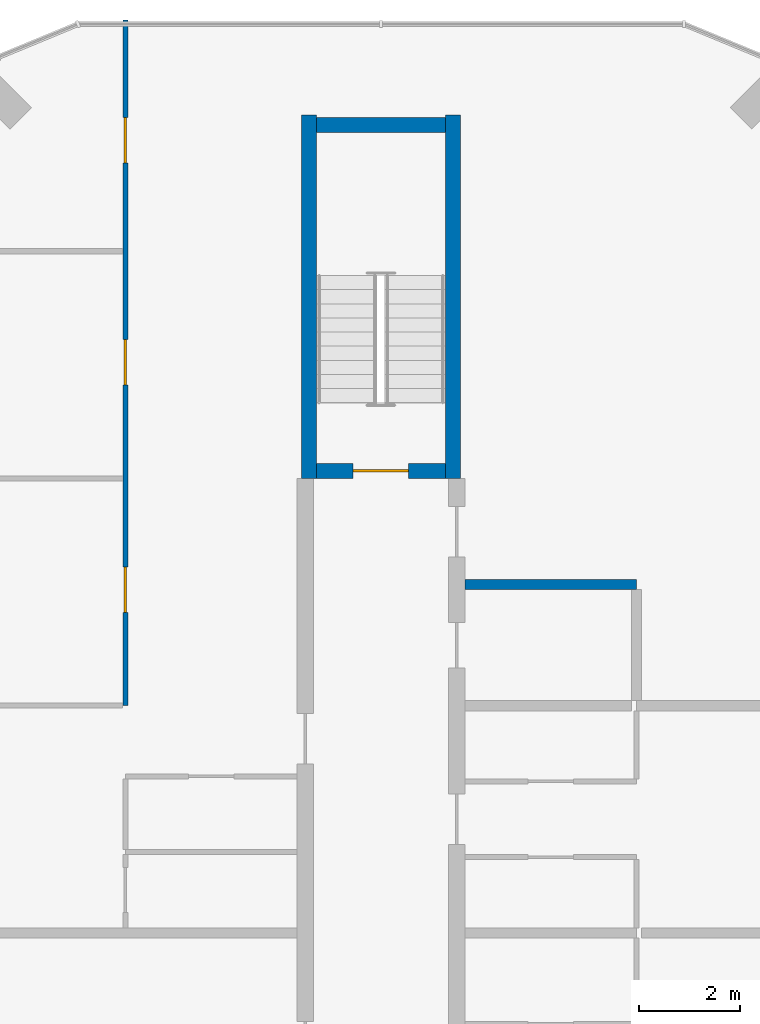
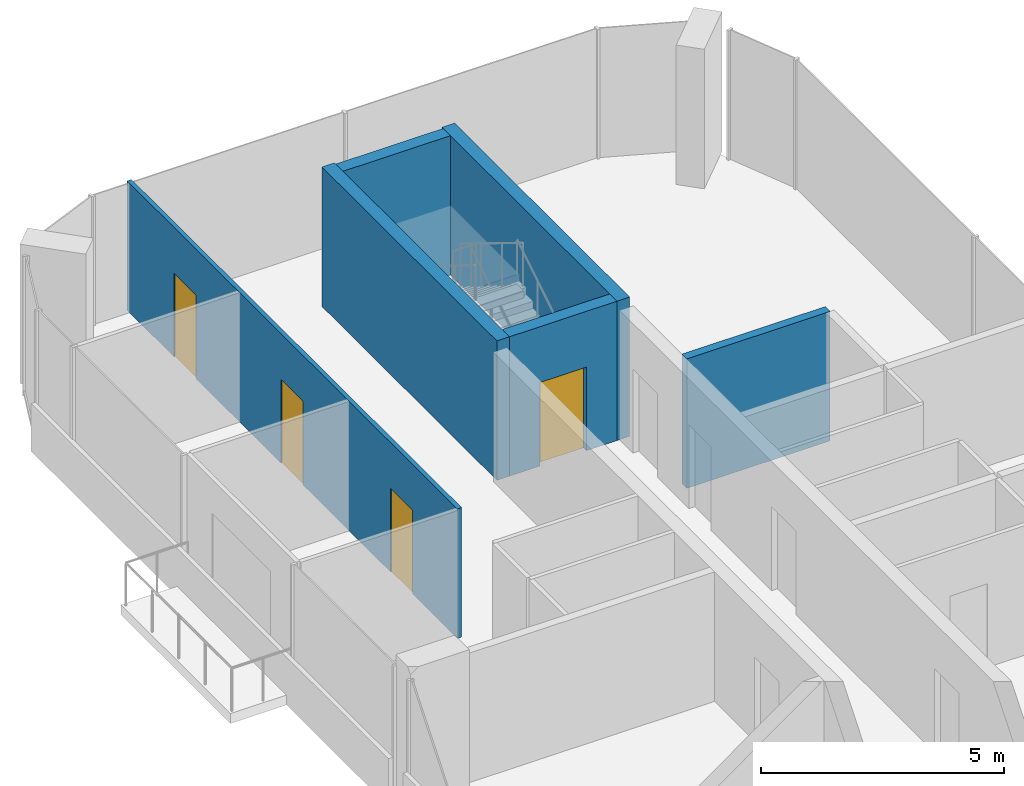
# One storey, part 17 of 23: 6 walls, 4 doors, 4 openings.
"""IFC4 building model written with IfcOpenShell, lengths in metres."""

from ifc_helpers import new_model, si_unit, direction, frame, frame_2d, origin, place, context, subcontext, project, spatial, rectangle, extrude, material, layer, layer_set, type_object, element, fill, save


model = new_model("IFC4")

# Units and contexts
model_context = context("Model", 3, precision=1e-05, world=origin(), true_north=direction((0.0, 1.0)))
body_context = subcontext(model_context, "Body", "Model", "MODEL_VIEW")
ifc_project = project(units=[si_unit("LENGTHUNIT", "METRE"), si_unit("AREAUNIT", "SQUARE_METRE"), si_unit("VOLUMEUNIT", "CUBIC_METRE"), si_unit("PLANEANGLEUNIT", "RADIAN"), si_unit("MASSUNIT", "GRAM", prefix="KILO")], contexts=[model_context])

# Site, building, storey
site_placement = place(None, origin())
site = spatial("IfcSite", under=ifc_project, at=site_placement, CompositionType="ELEMENT")
building_placement = place(site_placement, origin())
building = spatial("IfcBuilding", under=site, at=building_placement, Name="Plateau Cross Towers", CompositionType="ELEMENT")
storey_placement = place(building_placement, frame((0.0, 0.0, 85.300048828125)))
storey = spatial("IfcBuildingStorey", under=building, at=storey_placement, Name="L21", CompositionType="ELEMENT", Elevation=85.300048828125)

# Wall, openings, doors
ifc_material_1 = material(Name="Gypsum board on steel studs", Category="steel")
ifc_layer_1 = layer(ifc_material_1, 0.10009765625)
ifc_layer_set_1 = layer_set([ifc_layer_1], Name="Gypsum board on steel studs")
wall_type_1 = type_object("IfcWallType", Name="Flat partition 100", PredefinedType="PARTITIONING", material=ifc_layer_set_1)
wall_1_placement = place(storey_placement, frame((3.9375, 40.5, 0.0), z_axis=(0.0, 0.0, 1.0), x_axis=(0.0, 1.0, 0.0)))
wall_1 = element("IfcWall", 1, at=wall_1_placement, inside=storey, type_object=wall_type_1, Name="Partition wall", PredefinedType="PARTITIONING", context=body_context, shape_type="SweptSolid", body=[
    extrude(rectangle(XDim=13.580078125, YDim=0.10009765625, at=frame_2d((6.7900390625, 0.0))), origin(), (0.0, 0.0, 1.0), 3.25),
])
opening_1_placement = place(wall_1_placement, frame((1.85009765625, 0.0, 0.0)))
opening_1 = element("IfcOpeningElement", 2, at=opening_1_placement, cuts=wall_1, Name="Opening 21-40", PredefinedType="OPENING", context=body_context, shape_type="SweptSolid", body=[
    extrude(rectangle(XDim=0.89990234375, YDim=2.10009765625, at=frame_2d((0.449951171875, 1.050048828125))), frame((0.0, 0.06005859375, 0.0), z_axis=(0.0, -1.0, 0.0), x_axis=(1.0, 0.0, 0.0)), (0.0, 0.0, 1.0), 0.1201171875),
])
opening_2_placement = place(wall_1_placement, frame((6.35009765625, 0.0, 0.0)))
opening_2 = element("IfcOpeningElement", 3, at=opening_2_placement, cuts=wall_1, Name="Opening 21-41", PredefinedType="OPENING", context=body_context, shape_type="SweptSolid", body=[
    extrude(rectangle(XDim=0.89990234375, YDim=2.10009765625, at=frame_2d((0.449951171875, 1.050048828125))), frame((0.0, 0.06005859375, 0.0), z_axis=(0.0, -1.0, 0.0), x_axis=(1.0, 0.0, 0.0)), (0.0, 0.0, 1.0), 0.1201171875),
])
opening_3_placement = place(wall_1_placement, frame((10.75, 0.0, 0.0)))
opening_3 = element("IfcOpeningElement", 4, at=opening_3_placement, cuts=wall_1, Name="Opening 21-42", PredefinedType="OPENING", context=body_context, shape_type="SweptSolid", body=[
    extrude(rectangle(XDim=0.89990234375, YDim=2.10009765625, at=frame_2d((0.449951171875, 1.050048828125))), frame((0.0, 0.06005859375, 0.0), z_axis=(0.0, -1.0, 0.0), x_axis=(1.0, 0.0, 0.0)), (0.0, 0.0, 1.0), 0.1201171875),
])
ifc_material_2 = material(Name="Timber leaf", Category="wood")
door_type_1 = type_object("IfcDoorType", Name="Flat room door 900", OperationType="NOTDEFINED", PredefinedType="DOOR", material=ifc_material_2)
door_1_placement = place(opening_1_placement, origin())
door_1 = element("IfcDoor", 5, at=door_1_placement, inside=storey, type_object=door_type_1, Name="Door 21-40", OperationType="SINGLE_SWING_LEFT", OverallHeight=2.10009765625, OverallWidth=0.89990234375, PredefinedType="DOOR", context=body_context, shape_type="SweptSolid", body=[
    extrude(rectangle(XDim=0.89990234375, YDim=2.10009765625, at=frame_2d((0.449951171875, 1.050048828125))), frame((0.0, 0.02490234375, 0.0), z_axis=(0.0, -1.0, 0.0), x_axis=(1.0, 0.0, 0.0)), (0.0, 0.0, 1.0), 0.050048828125),
])
fill(opening_1, door_1)
door_2_placement = place(opening_2_placement, origin())
door_2 = element("IfcDoor", 6, at=door_2_placement, inside=storey, type_object=door_type_1, Name="Door 21-41", OperationType="SINGLE_SWING_RIGHT", OverallHeight=2.10009765625, OverallWidth=0.89990234375, PredefinedType="DOOR", context=body_context, shape_type="SweptSolid", body=[
    extrude(rectangle(XDim=0.89990234375, YDim=2.10009765625, at=frame_2d((0.449951171875, 1.050048828125))), frame((0.0, 0.02490234375, 0.0), z_axis=(0.0, -1.0, 0.0), x_axis=(1.0, 0.0, 0.0)), (0.0, 0.0, 1.0), 0.050048828125),
])
fill(opening_2, door_2)
door_3_placement = place(opening_3_placement, origin())
door_3 = element("IfcDoor", 7, at=door_3_placement, inside=storey, type_object=door_type_1, Name="Door 21-42", OperationType="SINGLE_SWING_RIGHT", OverallHeight=2.10009765625, OverallWidth=0.89990234375, PredefinedType="DOOR", context=body_context, shape_type="SweptSolid", body=[
    extrude(rectangle(XDim=0.89990234375, YDim=2.10009765625, at=frame_2d((0.449951171875, 1.050048828125))), frame((0.0, 0.02490234375, 0.0), z_axis=(0.0, -1.0, 0.0), x_axis=(1.0, 0.0, 0.0)), (0.0, 0.0, 1.0), 0.050048828125),
])
fill(opening_3, door_3)

# Wall
ifc_material_3 = material(Name="Gypsum board on steel studs, two layers each side", Category="steel")
ifc_layer_2 = layer(ifc_material_3, 0.199951171875)
ifc_layer_set_2 = layer_set([ifc_layer_2], Name="Gypsum board on steel studs, two layers each side")
wall_type_2 = type_object("IfcWallType", Name="Flat party wall 200", PredefinedType="PARTITIONING", material=ifc_layer_set_2)
wall_2_placement = place(storey_placement, frame((14.0625, 42.89990234375, 0.0), z_axis=(0.0, 0.0, 1.0), x_axis=(-1.0, 0.0, 0.0)))
element("IfcWall", 8, at=wall_2_placement, inside=storey, type_object=wall_type_2, Name="Party wall", PredefinedType="PARTITIONING", context=body_context, shape_type="SweptSolid", body=[
    extrude(rectangle(XDim=3.39990234375, YDim=0.199951171875, at=frame_2d((1.699951171875, 0.0))), origin(), (0.0, 0.0, 1.0), 3.25),
])

# Wall, opening, door
ifc_material_4 = material(Name="Concrete C60/75", Category="concrete")
ifc_layer_3 = layer(ifc_material_4, 0.300048828125)
ifc_layer_set_3 = layer_set([ifc_layer_3], Name="Concrete C60/75")
wall_type_3 = type_object("IfcWallType", Name="Stair tower wall 300", PredefinedType="SHEAR", material=ifc_layer_set_3)
wall_3_placement = place(storey_placement, frame((7.72509765625, 45.14990234375, 0.0), z_axis=(0.0, 0.0, 1.0), x_axis=(1.0, 0.0, 0.0)))
wall_3 = element("IfcWall", 9, at=wall_3_placement, inside=storey, type_object=wall_type_3, Name="A-end-N-S@L21", PredefinedType="SHEAR", context=body_context, shape_type="SweptSolid", body=[
    extrude(rectangle(XDim=2.5498046875, YDim=0.300048828125, at=frame_2d((1.27490234375, 0.0))), origin(), (0.0, 0.0, 1.0), 3.5),
])
opening_4_placement = place(wall_3_placement, frame((0.72509765625, 0.0, 0.0)))
opening_4 = element("IfcOpeningElement", 10, at=opening_4_placement, cuts=wall_3, Name="Opening SD", PredefinedType="OPENING", context=body_context, shape_type="SweptSolid", body=[
    extrude(rectangle(XDim=1.10009765625, YDim=2.10009765625, at=frame_2d((0.550048828125, 1.050048828125))), frame((0.0, 0.159912109375, 0.0), z_axis=(0.0, -1.0, 0.0), x_axis=(1.0, 0.0, 0.0)), (0.0, 0.0, 1.0), 0.320068359375),
])
ifc_material_5 = material(Name="Steel, fire-resisting leaf", Category="steel")
door_type_2 = type_object("IfcDoorType", Name="Stair door 1100", OperationType="NOTDEFINED", PredefinedType="DOOR", material=ifc_material_5)
door_4_placement = place(opening_4_placement, origin())
door_4 = element("IfcDoor", 11, at=door_4_placement, inside=storey, type_object=door_type_2, Name="Stair door SD", OperationType="SINGLE_SWING_LEFT", OverallHeight=2.10009765625, OverallWidth=1.10009765625, PredefinedType="DOOR", context=body_context, shape_type="SweptSolid", body=[
    extrude(rectangle(XDim=1.10009765625, YDim=2.10009765625, at=frame_2d((0.550048828125, 1.050048828125))), frame((0.0, 0.02490234375, 0.0), z_axis=(0.0, -1.0, 0.0), x_axis=(1.0, 0.0, 0.0)), (0.0, 0.0, 1.0), 0.050048828125),
])
fill(opening_4, door_4)

# Walls
wall_4_placement = place(storey_placement, frame((7.72509765625, 52.0, 0.0), z_axis=(0.0, 0.0, 1.0), x_axis=(1.0, 0.0, 0.0)))
element("IfcWall", 12, at=wall_4_placement, inside=storey, type_object=wall_type_3, Name="A-end-N-N@L21", PredefinedType="SHEAR", context=body_context, shape_type="SweptSolid", body=[
    extrude(rectangle(XDim=2.5498046875, YDim=0.300048828125, at=frame_2d((1.27490234375, 0.0))), origin(), (0.0, 0.0, 1.0), 3.5),
])
for number, where, z_axis, x_axis, name in (
    (13, (7.574951171875, 45.0, 0.0), (0.0, 0.0, 1.0), (0.0, 1.0, 0.0), "A-end-N-W@L21"),
    (14, (10.425048828125, 45.0, 0.0), (0.0, 0.0, 1.0), (0.0, 1.0, 0.0), "A-end-N-E@L21"),
):
    element("IfcWall", number, at=place(storey_placement, frame(where, z_axis=z_axis, x_axis=x_axis)), inside=storey, type_object=wall_type_3, Name=name, PredefinedType="SHEAR", context=body_context, shape_type="SweptSolid", body=[
        extrude(rectangle(XDim=7.199951171875, YDim=0.300048828125, at=frame_2d((3.60009765625, 0.0))), origin(), (0.0, 0.0, 1.0), 3.5),
    ])

save(model, "model.ifc")
